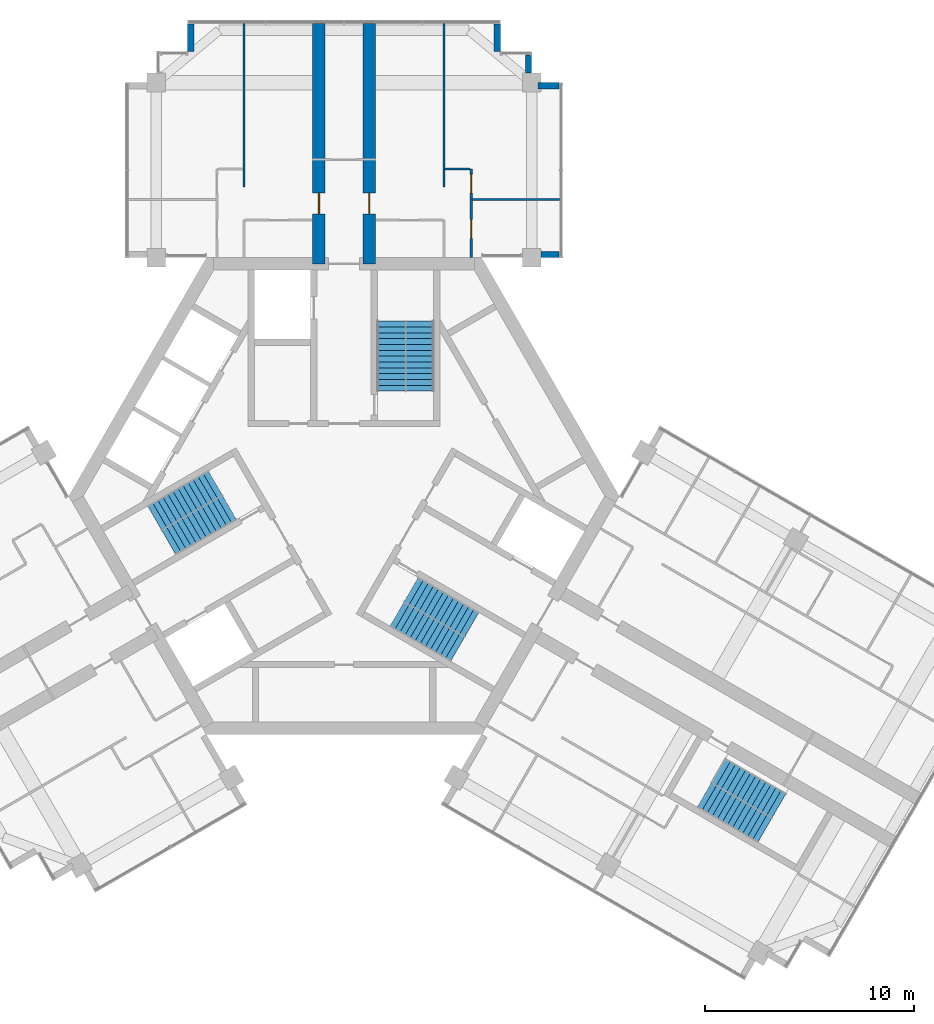
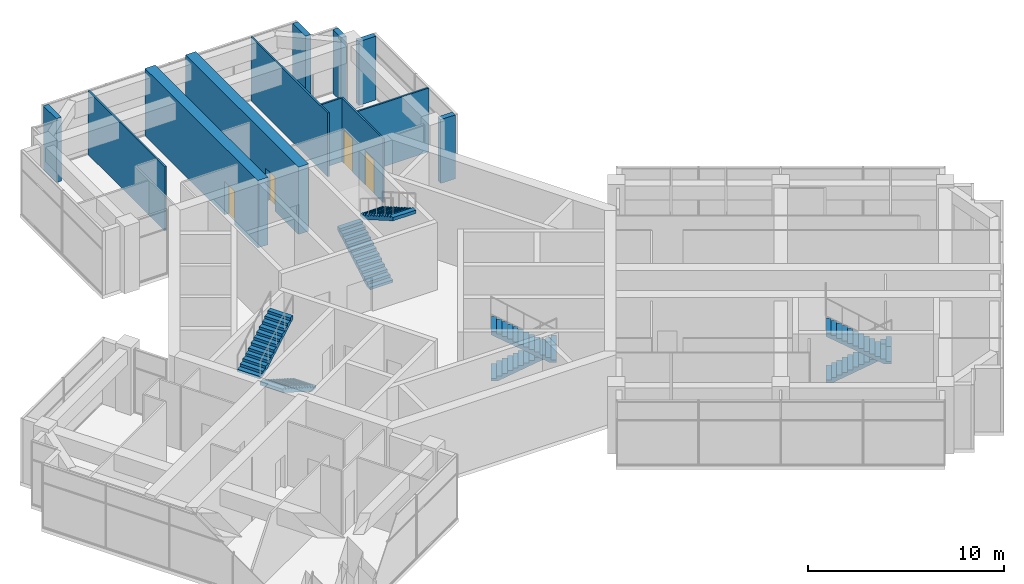
# One storey, part 12 of 13: 12 walls, 8 stair flights, 4 doors, 4 openings, 4 elements without a shape of their own.
"""IFC4 building model written with IfcOpenShell, lengths in metres."""

from ifc_helpers import new_model, si_unit, direction, frame, frame_2d, origin, place, context, subcontext, project, spatial, polyline, rectangle, outline, extrude, material, layer, layer_set, type_object, element, fill, aggregate, save


model = new_model("IFC4")

# Units and contexts
model_context = context("Model", 3, precision=1e-05, world=origin(), true_north=direction((0.0, 1.0)))
body_context = subcontext(model_context, "Body", "Model", "MODEL_VIEW")
ifc_project = project(units=[si_unit("LENGTHUNIT", "METRE"), si_unit("AREAUNIT", "SQUARE_METRE"), si_unit("VOLUMEUNIT", "CUBIC_METRE"), si_unit("PLANEANGLEUNIT", "RADIAN"), si_unit("MASSUNIT", "GRAM", prefix="KILO")], contexts=[model_context])

# Site, building, storey
site_placement = place(None, origin())
site = spatial("IfcSite", under=ifc_project, at=site_placement, CompositionType="ELEMENT")
building_placement = place(site_placement, origin())
building = spatial("IfcBuilding", under=site, at=building_placement, Name="Impinga Residences", CompositionType="ELEMENT")
storey_placement = place(building_placement, frame((0.0, 0.0, 287.35009765625)))
storey = spatial("IfcBuildingStorey", under=building, at=storey_placement, Name="L72", CompositionType="ELEMENT", Elevation=287.35009765625)

# Wall, opening, door
ifc_material_1 = material(Name="Concrete C60/75", Category="concrete")
ifc_layer_1 = layer(ifc_material_1, 0.60009765625)
ifc_layer_set_1 = layer_set([ifc_layer_1], Name="Concrete C60/75")
wall_type_1 = type_object("IfcWallType", Name="BW3 corridor buttress wall, L46 to L73 600", PredefinedType="SHEAR", material=ifc_layer_set_1)
wall_1_placement = place(storey_placement, frame((-1.199951171875, 11.131591796875, 0.0), z_axis=(0.0, 0.0, 1.0), x_axis=(0.0, 1.0, 0.0)))
wall_1 = element("IfcWall", 1, at=wall_1_placement, inside=storey, type_object=wall_type_1, Name="Corridor wall BW3 NC L72", PredefinedType="SHEAR", context=body_context, shape_type="SweptSolid", body=[
    extrude(rectangle(XDim=11.537841796875, YDim=0.60009765625, at=frame_2d((5.76904296875, 0.0))), origin(), (0.0, 0.0, 1.0), 4.199951171875),
])
opening_1_placement = place(wall_1_placement, frame((2.39990234375, 0.0, 0.0)))
opening_1 = element("IfcOpeningElement", 2, at=opening_1_placement, cuts=wall_1, Name="Opening D1", PredefinedType="OPENING", context=body_context, shape_type="SweptSolid", body=[
    extrude(rectangle(XDim=1.0, YDim=2.10009765625, at=frame_2d((0.5, 1.050048828125))), frame((0.0, 0.31005859375, 0.0), z_axis=(0.0, -1.0, 0.0), x_axis=(1.0, 0.0, 0.0)), (0.0, 0.0, 1.0), 0.6201171875),
])
ifc_material_2 = material(Name="Timber door set", Category="wood")
door_type_1 = type_object("IfcDoorType", Name="D1 apartment entrance door 1000x2100", OperationType="SINGLE_SWING_LEFT", PredefinedType="DOOR", material=ifc_material_2)
door_1_placement = place(opening_1_placement, origin())
door_1 = element("IfcDoor", 3, at=door_1_placement, inside=storey, type_object=door_type_1, Name="Apartment L72-NA1 entrance", OperationType="SINGLE_SWING_LEFT", OverallHeight=2.10009765625, OverallWidth=1.0, PredefinedType="DOOR", context=body_context, shape_type="SweptSolid", body=[
    extrude(rectangle(XDim=1.0, YDim=2.10009765625, at=frame_2d((0.5, 1.050048828125))), frame((0.0, 0.02490234375, 0.0), z_axis=(0.0, -1.0, 0.0), x_axis=(1.0, 0.0, 0.0)), (0.0, 0.0, 1.0), 0.050048828125),
])
fill(opening_1, door_1)

wall_2_placement = place(storey_placement, frame((1.199951171875, 11.131591796875, 0.0), z_axis=(0.0, 0.0, 1.0), x_axis=(0.0, 1.0, 0.0)))
wall_2 = element("IfcWall", 4, at=wall_2_placement, inside=storey, type_object=wall_type_1, Name="Corridor wall BW3 ND L72", PredefinedType="SHEAR", context=body_context, shape_type="SweptSolid", body=[
    extrude(rectangle(XDim=11.537841796875, YDim=0.60009765625, at=frame_2d((5.76904296875, 0.0))), origin(), (0.0, 0.0, 1.0), 4.199951171875),
])
opening_2_placement = place(wall_2_placement, frame((2.39990234375, 0.0, 0.0)))
opening_2 = element("IfcOpeningElement", 5, at=opening_2_placement, cuts=wall_2, Name="Opening D1", PredefinedType="OPENING", context=body_context, shape_type="SweptSolid", body=[
    extrude(rectangle(XDim=1.0, YDim=2.10009765625, at=frame_2d((0.5, 1.050048828125))), frame((0.0, 0.31005859375, 0.0), z_axis=(0.0, -1.0, 0.0), x_axis=(1.0, 0.0, 0.0)), (0.0, 0.0, 1.0), 0.6201171875),
])
door_2_placement = place(opening_2_placement, origin())
door_2 = element("IfcDoor", 6, at=door_2_placement, inside=storey, type_object=door_type_1, Name="Apartment L72-NF1 entrance", OperationType="SINGLE_SWING_LEFT", OverallHeight=2.10009765625, OverallWidth=1.0, PredefinedType="DOOR", context=body_context, shape_type="SweptSolid", body=[
    extrude(rectangle(XDim=1.0, YDim=2.10009765625, at=frame_2d((0.5, 1.050048828125))), frame((0.0, 0.02490234375, 0.0), z_axis=(0.0, -1.0, 0.0), x_axis=(1.0, 0.0, 0.0)), (0.0, 0.0, 1.0), 0.050048828125),
])
fill(opening_2, door_2)

# Walls
ifc_material_3 = material(Name="Stone facing on blockwork", Category="masonry")
ifc_layer_2 = layer(ifc_material_3, 0.300048828125)
ifc_layer_set_2 = layer_set([ifc_layer_2], Name="EW2 external wall, stone facing on blockwork 300")
wall_type_2 = type_object("IfcWallType", Name="EW2 external wall, stone facing on blockwork 300", PredefinedType="SOLIDWALL", material=ifc_layer_set_2)
for number, where, z_axis, x_axis, name in (
    (7, (-7.35009765625, 21.316650390625, 0.0), (0.0, 0.0, 1.0), (0.0, 1.0, 0.0), "External wall EW2 L72"),
    (8, (7.35009765625, 22.646484375, 0.0), (0.0, 0.0, 1.0), (0.0, -1.0, 0.0), "External wall EW2 L72"),
):
    element("IfcWall", number, at=place(storey_placement, frame(where, z_axis=z_axis, x_axis=x_axis)), inside=storey, type_object=wall_type_2, Name=name, PredefinedType="SOLIDWALL", context=body_context, shape_type="SweptSolid", body=[
        extrude(rectangle(XDim=1.329833984375, YDim=0.300048828125, at=frame_2d((0.6650390625, 0.0))), origin(), (0.0, 0.0, 1.0), 3.97998046875),
    ])
wall_3_placement = place(storey_placement, frame((8.85009765625, 21.146484375, 0.0), z_axis=(0.0, 0.0, 1.0), x_axis=(0.0, -1.0, 0.0)))
element("IfcWall", 9, at=wall_3_placement, inside=storey, type_object=wall_type_2, Name="External wall EW2 L72", PredefinedType="SOLIDWALL", context=body_context, shape_type="SweptSolid", body=[
    extrude(rectangle(XDim=0.862060546875, YDim=0.300048828125, at=frame_2d((0.43115234375, 0.0))), origin(), (0.0, 0.0, 1.0), 3.97998046875),
])
wall_4_placement = place(storey_placement, frame((9.300048828125, 19.681640625, 0.0), z_axis=(0.0, 0.0, 1.0), x_axis=(1.0, 0.0, 0.0)))
element("IfcWall", 10, at=wall_4_placement, inside=storey, type_object=wall_type_2, Name="External wall EW2 L72", PredefinedType="SOLIDWALL", context=body_context, shape_type="SweptSolid", body=[
    extrude(rectangle(XDim=1.014892578125, YDim=0.300048828125, at=frame_2d((0.50732421875, 0.0))), origin(), (0.0, 0.0, 1.0), 3.97998046875),
])
wall_5_placement = place(storey_placement, frame((10.31494140625, 11.58154296875, 0.0), z_axis=(0.0, 0.0, 1.0), x_axis=(-1.0, 0.0, 0.0)))
element("IfcWall", 11, at=wall_5_placement, inside=storey, type_object=wall_type_2, Name="External wall EW2 L72", PredefinedType="SOLIDWALL", context=body_context, shape_type="SweptSolid", body=[
    extrude(rectangle(XDim=0.862060546875, YDim=0.300048828125, at=frame_2d((0.43115234375, 0.0))), origin(), (0.0, 0.0, 1.0), 3.97998046875),
])
ifc_material_4 = material(Name="Gypsum board on steel studs", Category="steel")
ifc_layer_3 = layer(ifc_material_4, 0.10009765625)
ifc_layer_set_3 = layer_set([ifc_layer_3], Name="Gypsum board on steel studs")
wall_type_3 = type_object("IfcWallType", Name="IP1 partition 100", PredefinedType="PARTITIONING", material=ifc_layer_set_3)
for number, where, z_axis, x_axis, name in (
    (12, (-4.800048828125, 14.83154296875, 0.0), (0.0, 0.0, 1.0), (0.0, 1.0, 0.0), "Partition L72-NA1:DIV1"),
    (13, (4.800048828125, 14.83154296875, 0.0), (0.0, 0.0, 1.0), (0.0, 1.0, 0.0), "Partition L72-NF1:DIV1"),
):
    element("IfcWall", number, at=place(storey_placement, frame(where, z_axis=z_axis, x_axis=x_axis)), inside=storey, type_object=wall_type_3, Name=name, PredefinedType="PARTITIONING", context=body_context, shape_type="SweptSolid", body=[
        extrude(rectangle(XDim=7.8369140625, YDim=0.10009765625, at=frame_2d((3.91845703125, 0.0))), origin(), (0.0, 0.0, 1.0), 3.97998046875),
    ])

# Wall, openings, doors
wall_6_placement = place(storey_placement, frame((6.10009765625, 11.431640625, 0.0), z_axis=(0.0, 0.0, 1.0), x_axis=(0.0, 1.0, 0.0)))
wall_6 = element("IfcWall", 14, at=wall_6_placement, inside=storey, type_object=wall_type_3, Name="Partition L72-NF1:STRIP", PredefinedType="PARTITIONING", context=body_context, shape_type="SweptSolid", body=[
    extrude(rectangle(XDim=4.25, YDim=0.10009765625, at=frame_2d((2.125, 0.0))), origin(), (0.0, 0.0, 1.0), 3.97998046875),
])
opening_3_placement = place(wall_6_placement, frame((0.925048828125, 0.0, 0.0)))
opening_3 = element("IfcOpeningElement", 15, at=opening_3_placement, cuts=wall_6, Name="Opening D2", PredefinedType="OPENING", context=body_context, shape_type="SweptSolid", body=[
    extrude(rectangle(XDim=0.89990234375, YDim=2.10009765625, at=frame_2d((0.449951171875, 1.050048828125))), frame((0.0, 0.06005859375, 0.0), z_axis=(0.0, -1.0, 0.0), x_axis=(1.0, 0.0, 0.0)), (0.0, 0.0, 1.0), 0.1201171875),
])
opening_4_placement = place(wall_6_placement, frame((3.10009765625, 0.0, 0.0)))
opening_4 = element("IfcOpeningElement", 16, at=opening_4_placement, cuts=wall_6, Name="Opening D2", PredefinedType="OPENING", context=body_context, shape_type="SweptSolid", body=[
    extrude(rectangle(XDim=0.89990234375, YDim=2.10009765625, at=frame_2d((0.449951171875, 1.050048828125))), frame((0.0, 0.06005859375, 0.0), z_axis=(0.0, -1.0, 0.0), x_axis=(1.0, 0.0, 0.0)), (0.0, 0.0, 1.0), 0.1201171875),
])
door_type_2 = type_object("IfcDoorType", Name="D2 internal door 900x2100", OperationType="SINGLE_SWING_LEFT", PredefinedType="DOOR", material=ifc_material_2)
door_3_placement = place(opening_3_placement, origin())
door_3 = element("IfcDoor", 17, at=door_3_placement, inside=storey, type_object=door_type_2, Name="Apartment L72-NF1 room door", OperationType="SINGLE_SWING_LEFT", OverallHeight=2.10009765625, OverallWidth=0.89990234375, PredefinedType="DOOR", context=body_context, shape_type="SweptSolid", body=[
    extrude(rectangle(XDim=0.89990234375, YDim=2.10009765625, at=frame_2d((0.449951171875, 1.050048828125))), frame((0.0, 0.02490234375, 0.0), z_axis=(0.0, -1.0, 0.0), x_axis=(1.0, 0.0, 0.0)), (0.0, 0.0, 1.0), 0.050048828125),
])
fill(opening_3, door_3)
door_4_placement = place(opening_4_placement, origin())
door_4 = element("IfcDoor", 18, at=door_4_placement, inside=storey, type_object=door_type_2, Name="Apartment L72-NF1 room door", OperationType="SINGLE_SWING_RIGHT", OverallHeight=2.10009765625, OverallWidth=0.89990234375, PredefinedType="DOOR", context=body_context, shape_type="SweptSolid", body=[
    extrude(rectangle(XDim=0.89990234375, YDim=2.10009765625, at=frame_2d((0.449951171875, 1.050048828125))), frame((0.0, 0.02490234375, 0.0), z_axis=(0.0, -1.0, 0.0), x_axis=(1.0, 0.0, 0.0)), (0.0, 0.0, 1.0), 0.050048828125),
])
fill(opening_4, door_4)

# Walls
wall_7_placement = place(storey_placement, frame((4.85009765625, 15.681640625, 0.0), z_axis=(0.0, 0.0, 1.0), x_axis=(1.0, 0.0, 0.0)))
element("IfcWall", 19, at=wall_7_placement, inside=storey, type_object=wall_type_3, Name="Partition L72-NF1:SE1", PredefinedType="PARTITIONING", context=body_context, shape_type="SweptSolid", body=[
    extrude(rectangle(XDim=1.199951171875, YDim=0.10009765625, at=frame_2d((0.60009765625, 0.0))), origin(), (0.0, 0.0, 1.0), 3.97998046875),
])
wall_8_placement = place(storey_placement, frame((6.14990234375, 14.2314453125, 0.0), z_axis=(0.0, 0.0, 1.0), x_axis=(1.0, 0.0, 0.0)))
element("IfcWall", 20, at=wall_8_placement, inside=storey, type_object=wall_type_3, Name="Partition L72-NF1:OB1", PredefinedType="PARTITIONING", context=body_context, shape_type="SweptSolid", body=[
    extrude(rectangle(XDim=4.18701171875, YDim=0.10009765625, at=frame_2d((2.093505859375, 0.0))), origin(), (0.0, 0.0, 1.0), 3.97998046875),
])

# Stair, stair flights
ifc_material_5 = material(Name="Concrete C40/50", Category="concrete")
stair_type_1 = type_object("IfcStairType", Name="STR core stair 4200 storey, 26 risers", PredefinedType="HALF_TURN_STAIR", material=ifc_material_5)
stair_1_placement = place(storey_placement, origin())
stair_1 = element("IfcStair", 21, at=stair_1_placement, inside=storey, type_object=stair_type_1, Name="Stair ST1 L72", PredefinedType="HALF_TURN_STAIR")
stair_flight_type = type_object("IfcStairFlightType", Name="SF 13 risers of 162", PredefinedType="STRAIGHT", material=ifc_material_5)
stair_flight_1_placement = place(storey_placement, frame((2.27490234375, 5.030029296875, 0.0), z_axis=(0.0, 0.0, 1.0), x_axis=(0.0, 1.0, 0.0)))
stair_flight_1 = element("IfcStairFlight", 22, at=stair_flight_1_placement, type_object=stair_flight_type, Name="ST1 flight 1", NumberOfRisers=13, NumberOfTreads=12, PredefinedType="STRAIGHT", RiserHeight=0.161538462, TreadLength=0.28, context=body_context, shape_type="SweptSolid", body=[
    extrude(outline(polyline([(0.0, 0.0), (0.0, 0.16162109375), (0.280029296875, 0.16162109375), (0.280029296875, 0.322998046875), (0.56005859375, 0.322998046875), (0.56005859375, 0.484619140625), (0.840087890625, 0.484619140625), (0.840087890625, 0.646240234375), (1.1201171875, 0.646240234375), (1.1201171875, 0.8076171875), (1.39990234375, 0.8076171875), (1.39990234375, 0.96923828125), (1.679931640625, 0.96923828125), (1.679931640625, 1.130859375), (1.9599609375, 1.130859375), (1.9599609375, 1.292236328125), (2.239990234375, 1.292236328125), (2.239990234375, 1.453857421875), (2.52001953125, 1.453857421875), (2.52001953125, 1.615478515625), (2.800048828125, 1.615478515625), (2.800048828125, 1.77685546875), (3.080078125, 1.77685546875), (3.080078125, 1.9384765625), (3.360107421875, 1.9384765625), (3.360107421875, 2.10009765625), (3.360107421875, 1.730712890625), (0.360107421875, 0.0), (0.0, 0.0)])), frame((0.0, 0.675048828125, 0.0), z_axis=(0.0, -1.0, 0.0), x_axis=(1.0, 0.0, 0.0)), (0.0, 0.0, 1.0), 1.35009765625),
])
stair_flight_2_placement = place(storey_placement, frame((3.625, 8.389892578125, 2.099853515625), z_axis=(0.0, 0.0, 1.0), x_axis=(0.0, -1.0, 0.0)))
stair_flight_2 = element("IfcStairFlight", 23, at=stair_flight_2_placement, type_object=stair_flight_type, Name="ST1 flight 2", NumberOfRisers=13, NumberOfTreads=12, PredefinedType="STRAIGHT", RiserHeight=0.161538462, TreadLength=0.28, context=body_context, shape_type="SweptSolid", body=[
    extrude(outline(polyline([(0.0, 0.0), (0.0, 0.16162109375), (0.280029296875, 0.16162109375), (0.280029296875, 0.322998046875), (0.56005859375, 0.322998046875), (0.56005859375, 0.484619140625), (0.840087890625, 0.484619140625), (0.840087890625, 0.646240234375), (1.1201171875, 0.646240234375), (1.1201171875, 0.8076171875), (1.39990234375, 0.8076171875), (1.39990234375, 0.96923828125), (1.679931640625, 0.96923828125), (1.679931640625, 1.130859375), (1.9599609375, 1.130859375), (1.9599609375, 1.292236328125), (2.239990234375, 1.292236328125), (2.239990234375, 1.453857421875), (2.52001953125, 1.453857421875), (2.52001953125, 1.615478515625), (2.800048828125, 1.615478515625), (2.800048828125, 1.77685546875), (3.080078125, 1.77685546875), (3.080078125, 1.9384765625), (3.360107421875, 1.9384765625), (3.360107421875, 2.10009765625), (3.360107421875, 1.730712890625), (0.360107421875, 0.0), (0.0, 0.0)])), frame((0.0, 0.675048828125, 0.0), z_axis=(0.0, -1.0, 0.0), x_axis=(1.0, 0.0, 0.0)), (0.0, 0.0, 1.0), 1.35009765625),
])
aggregate(stair_1, [stair_flight_1, stair_flight_2])

stair_2_placement = place(storey_placement, origin())
stair_2 = element("IfcStair", 24, at=stair_2_placement, inside=storey, type_object=stair_type_1, Name="Stair ST2 L72", PredefinedType="HALF_TURN_STAIR")
stair_flight_3_placement = place(storey_placement, frame((-5.49365234375, -0.544677734375, 0.0), z_axis=(0.0, 0.0, 1.0), x_axis=(-0.866025403784, -0.5, 0.0)))
stair_flight_3 = element("IfcStairFlight", 25, at=stair_flight_3_placement, type_object=stair_flight_type, Name="ST2 flight 1", NumberOfRisers=13, NumberOfTreads=12, PredefinedType="STRAIGHT", RiserHeight=0.161538462, TreadLength=0.28, context=body_context, shape_type="SweptSolid", body=[
    extrude(outline(polyline([(0.0, 0.0), (0.0, 0.16162109375), (0.280029296875, 0.16162109375), (0.280029296875, 0.322998046875), (0.56005859375, 0.322998046875), (0.56005859375, 0.484619140625), (0.840087890625, 0.484619140625), (0.840087890625, 0.646240234375), (1.1201171875, 0.646240234375), (1.1201171875, 0.8076171875), (1.39990234375, 0.8076171875), (1.39990234375, 0.96923828125), (1.679931640625, 0.96923828125), (1.679931640625, 1.130859375), (1.9599609375, 1.130859375), (1.9599609375, 1.292236328125), (2.239990234375, 1.292236328125), (2.239990234375, 1.453857421875), (2.52001953125, 1.453857421875), (2.52001953125, 1.615478515625), (2.800048828125, 1.615478515625), (2.800048828125, 1.77685546875), (3.080078125, 1.77685546875), (3.080078125, 1.9384765625), (3.360107421875, 1.9384765625), (3.360107421875, 2.10009765625), (3.360107421875, 1.730712890625), (0.360107421875, 0.0), (0.0, 0.0)])), frame((0.0, 0.675048828125, 0.0), z_axis=(0.0, -1.0, 0.0), x_axis=(1.0, 0.0, 0.0)), (0.0, 0.0, 1.0), 1.35009765625),
])
stair_flight_4_placement = place(storey_placement, frame((-9.078369140625, -1.0556640625, 2.099853515625), z_axis=(0.0, 0.0, 1.0), x_axis=(0.866025403784, 0.5, 0.0)))
stair_flight_4 = element("IfcStairFlight", 26, at=stair_flight_4_placement, type_object=stair_flight_type, Name="ST2 flight 2", NumberOfRisers=13, NumberOfTreads=12, PredefinedType="STRAIGHT", RiserHeight=0.161538462, TreadLength=0.28, context=body_context, shape_type="SweptSolid", body=[
    extrude(outline(polyline([(0.0, 0.0), (0.0, 0.16162109375), (0.280029296875, 0.16162109375), (0.280029296875, 0.322998046875), (0.56005859375, 0.322998046875), (0.56005859375, 0.484619140625), (0.840087890625, 0.484619140625), (0.840087890625, 0.646240234375), (1.1201171875, 0.646240234375), (1.1201171875, 0.8076171875), (1.39990234375, 0.8076171875), (1.39990234375, 0.96923828125), (1.679931640625, 0.96923828125), (1.679931640625, 1.130859375), (1.9599609375, 1.130859375), (1.9599609375, 1.292236328125), (2.239990234375, 1.292236328125), (2.239990234375, 1.453857421875), (2.52001953125, 1.453857421875), (2.52001953125, 1.615478515625), (2.800048828125, 1.615478515625), (2.800048828125, 1.77685546875), (3.080078125, 1.77685546875), (3.080078125, 1.9384765625), (3.360107421875, 1.9384765625), (3.360107421875, 2.10009765625), (3.360107421875, 1.730712890625), (0.360107421875, 0.0), (0.0, 0.0)])), frame((0.0, 0.675048828125, 0.0), z_axis=(0.0, -1.0, 0.0), x_axis=(1.0, 0.0, 0.0)), (0.0, 0.0, 1.0), 1.35009765625),
])
aggregate(stair_2, [stair_flight_3, stair_flight_4])

stair_3_placement = place(storey_placement, origin())
stair_3 = element("IfcStair", 27, at=stair_3_placement, inside=storey, type_object=stair_type_1, Name="Stair ST3 L72", PredefinedType="HALF_TURN_STAIR")
stair_flight_5_placement = place(storey_placement, frame((3.218505859375, -4.485107421875, 0.0), z_axis=(0.0, 0.0, 1.0), x_axis=(0.866025403784, -0.5, 0.0)))
stair_flight_5 = element("IfcStairFlight", 28, at=stair_flight_5_placement, type_object=stair_flight_type, Name="ST3 flight 1", NumberOfRisers=13, NumberOfTreads=12, PredefinedType="STRAIGHT", RiserHeight=0.161538462, TreadLength=0.28, context=body_context, shape_type="SweptSolid", body=[
    extrude(outline(polyline([(0.0, 0.0), (0.0, 0.16162109375), (0.280029296875, 0.16162109375), (0.280029296875, 0.322998046875), (0.56005859375, 0.322998046875), (0.56005859375, 0.484619140625), (0.840087890625, 0.484619140625), (0.840087890625, 0.646240234375), (1.1201171875, 0.646240234375), (1.1201171875, 0.8076171875), (1.39990234375, 0.8076171875), (1.39990234375, 0.96923828125), (1.679931640625, 0.96923828125), (1.679931640625, 1.130859375), (1.9599609375, 1.130859375), (1.9599609375, 1.292236328125), (2.239990234375, 1.292236328125), (2.239990234375, 1.453857421875), (2.52001953125, 1.453857421875), (2.52001953125, 1.615478515625), (2.800048828125, 1.615478515625), (2.800048828125, 1.77685546875), (3.080078125, 1.77685546875), (3.080078125, 1.9384765625), (3.360107421875, 1.9384765625), (3.360107421875, 2.10009765625), (3.360107421875, 1.730712890625), (0.360107421875, 0.0), (0.0, 0.0)])), frame((0.0, 0.675048828125, 0.0), z_axis=(0.0, -1.0, 0.0), x_axis=(1.0, 0.0, 0.0)), (0.0, 0.0, 1.0), 1.35009765625),
])
stair_flight_6_placement = place(storey_placement, frame((5.453369140625, -7.334228515625, 2.099853515625), z_axis=(0.0, 0.0, 1.0), x_axis=(-0.866025403784, 0.5, 0.0)))
stair_flight_6 = element("IfcStairFlight", 29, at=stair_flight_6_placement, type_object=stair_flight_type, Name="ST3 flight 2", NumberOfRisers=13, NumberOfTreads=12, PredefinedType="STRAIGHT", RiserHeight=0.161538462, TreadLength=0.28, context=body_context, shape_type="SweptSolid", body=[
    extrude(outline(polyline([(0.0, 0.0), (0.0, 0.16162109375), (0.280029296875, 0.16162109375), (0.280029296875, 0.322998046875), (0.56005859375, 0.322998046875), (0.56005859375, 0.484619140625), (0.840087890625, 0.484619140625), (0.840087890625, 0.646240234375), (1.1201171875, 0.646240234375), (1.1201171875, 0.8076171875), (1.39990234375, 0.8076171875), (1.39990234375, 0.96923828125), (1.679931640625, 0.96923828125), (1.679931640625, 1.130859375), (1.9599609375, 1.130859375), (1.9599609375, 1.292236328125), (2.239990234375, 1.292236328125), (2.239990234375, 1.453857421875), (2.52001953125, 1.453857421875), (2.52001953125, 1.615478515625), (2.800048828125, 1.615478515625), (2.800048828125, 1.77685546875), (3.080078125, 1.77685546875), (3.080078125, 1.9384765625), (3.360107421875, 1.9384765625), (3.360107421875, 2.10009765625), (3.360107421875, 1.730712890625), (0.360107421875, 0.0), (0.0, 0.0)])), frame((0.0, 0.675048828125, 0.0), z_axis=(0.0, -1.0, 0.0), x_axis=(1.0, 0.0, 0.0)), (0.0, 0.0, 1.0), 1.35009765625),
])
aggregate(stair_3, [stair_flight_5, stair_flight_6])

stair_type_2 = type_object("IfcStairType", Name="STR wing stair 4200 storey, 26 risers", PredefinedType="HALF_TURN_STAIR", material=ifc_material_5)
stair_4_placement = place(storey_placement, origin())
stair_4 = element("IfcStair", 30, at=stair_4_placement, inside=storey, type_object=stair_type_2, Name="Stair WS3 L72", PredefinedType="HALF_TURN_STAIR")
stair_flight_7_placement = place(storey_placement, frame((17.953857421875, -13.165771484375, 0.0), z_axis=(0.0, 0.0, 1.0), x_axis=(0.866025403784, -0.5, 0.0)))
stair_flight_7 = element("IfcStairFlight", 31, at=stair_flight_7_placement, type_object=stair_flight_type, Name="WS3 flight 1", NumberOfRisers=13, NumberOfTreads=12, PredefinedType="STRAIGHT", RiserHeight=0.161538462, TreadLength=0.28, context=body_context, shape_type="SweptSolid", body=[
    extrude(outline(polyline([(0.0, 0.0), (0.0, 0.16162109375), (0.280029296875, 0.16162109375), (0.280029296875, 0.322998046875), (0.56005859375, 0.322998046875), (0.56005859375, 0.484619140625), (0.840087890625, 0.484619140625), (0.840087890625, 0.646240234375), (1.1201171875, 0.646240234375), (1.1201171875, 0.8076171875), (1.39990234375, 0.8076171875), (1.39990234375, 0.96923828125), (1.679931640625, 0.96923828125), (1.679931640625, 1.130859375), (1.9599609375, 1.130859375), (1.9599609375, 1.292236328125), (2.239990234375, 1.292236328125), (2.239990234375, 1.453857421875), (2.52001953125, 1.453857421875), (2.52001953125, 1.615478515625), (2.800048828125, 1.615478515625), (2.800048828125, 1.77685546875), (3.080078125, 1.77685546875), (3.080078125, 1.9384765625), (3.360107421875, 1.9384765625), (3.360107421875, 2.10009765625), (3.360107421875, 1.730712890625), (0.360107421875, 0.0), (0.0, 0.0)])), frame((0.0, 0.675048828125, 0.0), z_axis=(0.0, -1.0, 0.0), x_axis=(1.0, 0.0, 0.0)), (0.0, 0.0, 1.0), 1.35009765625),
])
stair_flight_8_placement = place(storey_placement, frame((20.188720703125, -16.014892578125, 2.099853515625), z_axis=(0.0, 0.0, 1.0), x_axis=(-0.866025403784, 0.5, 0.0)))
stair_flight_8 = element("IfcStairFlight", 32, at=stair_flight_8_placement, type_object=stair_flight_type, Name="WS3 flight 2", NumberOfRisers=13, NumberOfTreads=12, PredefinedType="STRAIGHT", RiserHeight=0.161538462, TreadLength=0.28, context=body_context, shape_type="SweptSolid", body=[
    extrude(outline(polyline([(0.0, 0.0), (0.0, 0.16162109375), (0.280029296875, 0.16162109375), (0.280029296875, 0.322998046875), (0.56005859375, 0.322998046875), (0.56005859375, 0.484619140625), (0.840087890625, 0.484619140625), (0.840087890625, 0.646240234375), (1.1201171875, 0.646240234375), (1.1201171875, 0.8076171875), (1.39990234375, 0.8076171875), (1.39990234375, 0.96923828125), (1.679931640625, 0.96923828125), (1.679931640625, 1.130859375), (1.9599609375, 1.130859375), (1.9599609375, 1.292236328125), (2.239990234375, 1.292236328125), (2.239990234375, 1.453857421875), (2.52001953125, 1.453857421875), (2.52001953125, 1.615478515625), (2.800048828125, 1.615478515625), (2.800048828125, 1.77685546875), (3.080078125, 1.77685546875), (3.080078125, 1.9384765625), (3.360107421875, 1.9384765625), (3.360107421875, 2.10009765625), (3.360107421875, 1.730712890625), (0.360107421875, 0.0), (0.0, 0.0)])), frame((0.0, 0.675048828125, 0.0), z_axis=(0.0, -1.0, 0.0), x_axis=(1.0, 0.0, 0.0)), (0.0, 0.0, 1.0), 1.35009765625),
])
aggregate(stair_4, [stair_flight_7, stair_flight_8])

save(model, "model.ifc")
